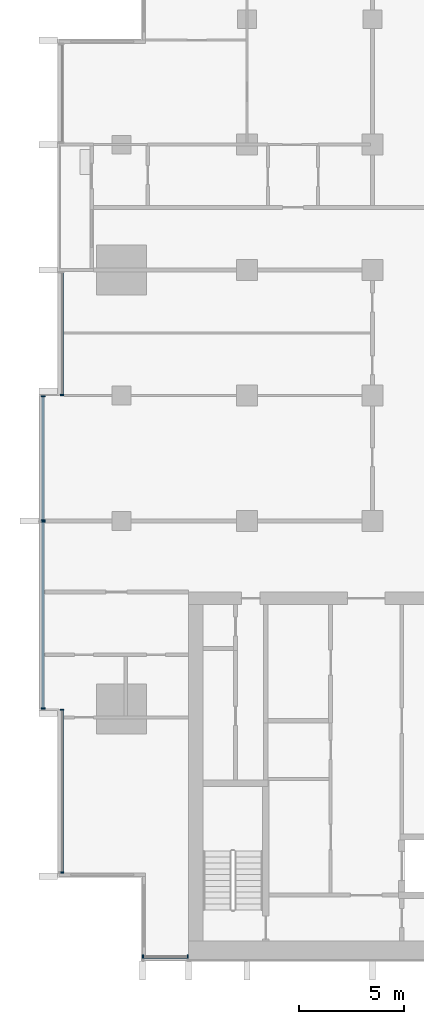
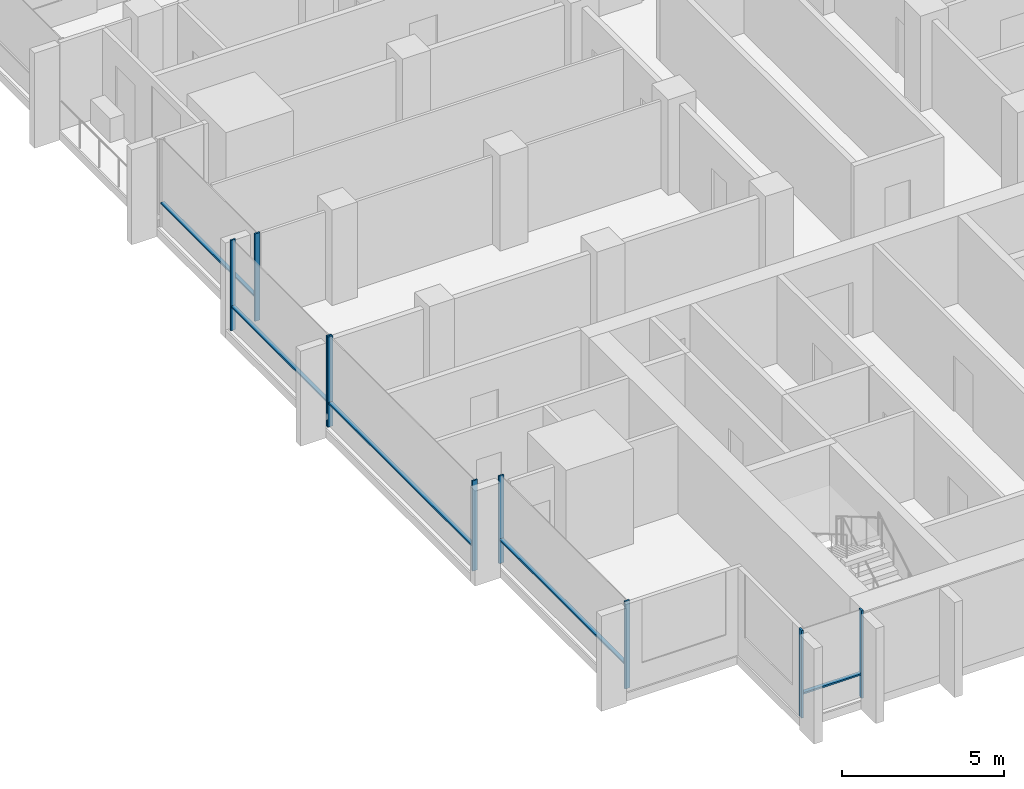
# One storey, part 2 of 16: 14 members, 5 elements without a shape of their own.
"""IFC4 building model written with IfcOpenShell, lengths in metres."""

from ifc_helpers import new_model, si_unit, direction, frame, origin, origin_2d, place, context, subcontext, project, spatial, rectangle, extrude, material, material_profile, profile_set, type_object, element, aggregate, save


model = new_model("IFC4")

# Units and contexts
model_context = context("Model", 3, precision=1e-05, world=origin(), true_north=direction((0.0, 1.0)))
body_context = subcontext(model_context, "Body", "Model", "MODEL_VIEW")
ifc_project = project(units=[si_unit("LENGTHUNIT", "METRE"), si_unit("AREAUNIT", "SQUARE_METRE"), si_unit("VOLUMEUNIT", "CUBIC_METRE"), si_unit("PLANEANGLEUNIT", "RADIAN"), si_unit("MASSUNIT", "GRAM", prefix="KILO")], contexts=[model_context])

# Site, building, storey
site_placement = place(None, origin())
site = spatial("IfcSite", under=ifc_project, at=site_placement, CompositionType="ELEMENT")
building_placement = place(site_placement, origin())
building = spatial("IfcBuilding", under=site, at=building_placement, Name="Finial Court Residences", CompositionType="ELEMENT")
storey_placement = place(building_placement, frame((0.0, 0.0, 185.300048828125)))
storey = spatial("IfcBuildingStorey", under=building, at=storey_placement, Name="L46", CompositionType="ELEMENT", Elevation=185.300048828125)

# Curtain wall, members
ifc_material = material(Name="Bronze anodised aluminium", Category="aluminium")
curtain_wall_type = type_object("IfcCurtainWallType", Name="Unitised curtain wall, upper zones", PredefinedType="NOTDEFINED", material=ifc_material)
curtain_wall_1_placement = place(storey_placement, origin())
curtain_wall_1 = element("IfcCurtainWall", 1, at=curtain_wall_1_placement, inside=storey, type_object=curtain_wall_type, Name="E-L46-CW-S7", PredefinedType="NOTDEFINED")
ifc_material_profile_1 = material_profile(ifc_material, rectangle(XDim=0.175048828125, YDim=0.06005859375, at=origin_2d()), Name="CW2 mullion 60 x 175")
ifc_profile_set_1 = profile_set([ifc_material_profile_1], Name="Bronze anodised aluminium")
member_type_1 = type_object("IfcMemberType", Name="CW2 mullion 60 x 175", PredefinedType="MULLION", material=ifc_profile_set_1)
member_1_placement = place(storey_placement, frame((-15.469970703125, -25.35009765625, 0.0), z_axis=(0.0, 0.0, 1.0), x_axis=(0.0, 1.0, 0.0)))
member_1 = element("IfcMember", 2, at=member_1_placement, type_object=member_type_1, Name="CW2 mullion 1", PredefinedType="MULLION", context=body_context, shape_type="SweptSolid", body=[
    extrude(rectangle(XDim=0.175048828125, YDim=0.06005859375, at=origin_2d()), origin(), (0.0, 0.0, 1.0), 3.300048828125),
])
member_2_placement = place(storey_placement, frame((-13.330078125, -25.35009765625, 0.0), z_axis=(0.0, 0.0, 1.0), x_axis=(0.0, 1.0, 0.0)))
member_2 = element("IfcMember", 3, at=member_2_placement, type_object=member_type_1, Name="CW2 mullion 2", PredefinedType="MULLION", context=body_context, shape_type="SweptSolid", body=[
    extrude(rectangle(XDim=0.175048828125, YDim=0.06005859375, at=origin_2d()), origin(), (0.0, 0.0, 1.0), 3.300048828125),
])

curtain_wall_2_placement = place(storey_placement, origin())
curtain_wall_2 = element("IfcCurtainWall", 4, at=curtain_wall_2_placement, inside=storey, type_object=curtain_wall_type, Name="E-L46-CW-W9", PredefinedType="NOTDEFINED")
member_3_placement = place(storey_placement, frame((-19.35009765625, -21.320068359375, 0.0), z_axis=(0.0, 0.0, 1.0), x_axis=(-1.0, 0.0, 0.0)))
member_3 = element("IfcMember", 5, at=member_3_placement, type_object=member_type_1, Name="CW2 mullion 1", PredefinedType="MULLION", context=body_context, shape_type="SweptSolid", body=[
    extrude(rectangle(XDim=0.175048828125, YDim=0.06005859375, at=origin_2d()), origin(), (0.0, 0.0, 1.0), 3.300048828125),
])
member_4_placement = place(storey_placement, frame((-19.35009765625, -13.530029296875, 0.0), z_axis=(0.0, 0.0, 1.0), x_axis=(-1.0, 0.0, 0.0)))
member_4 = element("IfcMember", 6, at=member_4_placement, type_object=member_type_1, Name="CW2 mullion 2", PredefinedType="MULLION", context=body_context, shape_type="SweptSolid", body=[
    extrude(rectangle(XDim=0.175048828125, YDim=0.06005859375, at=origin_2d()), origin(), (0.0, 0.0, 1.0), 3.300048828125),
])

curtain_wall_3_placement = place(storey_placement, origin())
curtain_wall_3 = element("IfcCurtainWall", 7, at=curtain_wall_3_placement, inside=storey, type_object=curtain_wall_type, Name="E-L46-CW-W10", PredefinedType="NOTDEFINED")
member_5_placement = place(storey_placement, frame((-20.25, -13.469970703125, 0.0), z_axis=(0.0, 0.0, 1.0), x_axis=(-1.0, 0.0, 0.0)))
member_5 = element("IfcMember", 8, at=member_5_placement, type_object=member_type_1, Name="CW2 mullion 1", PredefinedType="MULLION", context=body_context, shape_type="SweptSolid", body=[
    extrude(rectangle(XDim=0.175048828125, YDim=0.06005859375, at=origin_2d()), origin(), (0.0, 0.0, 1.0), 3.39990234375),
])
member_6_placement = place(storey_placement, frame((-20.25, -4.530029296875, 0.0), z_axis=(0.0, 0.0, 1.0), x_axis=(-1.0, 0.0, 0.0)))
member_6 = element("IfcMember", 9, at=member_6_placement, type_object=member_type_1, Name="CW2 mullion 2", PredefinedType="MULLION", context=body_context, shape_type="SweptSolid", body=[
    extrude(rectangle(XDim=0.175048828125, YDim=0.06005859375, at=origin_2d()), origin(), (0.0, 0.0, 1.0), 3.39990234375),
])

curtain_wall_4_placement = place(storey_placement, origin())
curtain_wall_4 = element("IfcCurtainWall", 10, at=curtain_wall_4_placement, inside=storey, type_object=curtain_wall_type, Name="E-L46-CW-W11", PredefinedType="NOTDEFINED")
member_7_placement = place(storey_placement, frame((-20.25, -4.469970703125, 0.0), z_axis=(0.0, 0.0, 1.0), x_axis=(-1.0, 0.0, 0.0)))
member_7 = element("IfcMember", 11, at=member_7_placement, type_object=member_type_1, Name="CW2 mullion 1", PredefinedType="MULLION", context=body_context, shape_type="SweptSolid", body=[
    extrude(rectangle(XDim=0.175048828125, YDim=0.06005859375, at=origin_2d()), origin(), (0.0, 0.0, 1.0), 3.39990234375),
])
member_8_placement = place(storey_placement, frame((-20.25, 1.469970703125, 0.0), z_axis=(0.0, 0.0, 1.0), x_axis=(-1.0, 0.0, 0.0)))
member_8 = element("IfcMember", 12, at=member_8_placement, type_object=member_type_1, Name="CW2 mullion 2", PredefinedType="MULLION", context=body_context, shape_type="SweptSolid", body=[
    extrude(rectangle(XDim=0.175048828125, YDim=0.06005859375, at=origin_2d()), origin(), (0.0, 0.0, 1.0), 3.39990234375),
])

# Curtain wall, member
curtain_wall_5_placement = place(storey_placement, origin())
curtain_wall_5 = element("IfcCurtainWall", 13, at=curtain_wall_5_placement, inside=storey, type_object=curtain_wall_type, Name="E-L46-CW-W12", PredefinedType="NOTDEFINED")
member_9_placement = place(storey_placement, frame((-19.35009765625, 1.530029296875, 0.0), z_axis=(0.0, 0.0, 1.0), x_axis=(-1.0, 0.0, 0.0)))
member_9 = element("IfcMember", 14, at=member_9_placement, type_object=member_type_1, Name="CW2 mullion 1", PredefinedType="MULLION", context=body_context, shape_type="SweptSolid", body=[
    extrude(rectangle(XDim=0.175048828125, YDim=0.06005859375, at=origin_2d()), origin(), (0.0, 0.0, 1.0), 3.300048828125),
])

# Member
ifc_material_profile_2 = material_profile(ifc_material, rectangle(XDim=0.139892578125, YDim=0.06005859375, at=origin_2d()), Name="CW2 transom 60 x 140")
ifc_profile_set_2 = profile_set([ifc_material_profile_2], Name="Bronze anodised aluminium")
member_type_2 = type_object("IfcMemberType", Name="CW2 transom 60 x 140", PredefinedType="USERDEFINED", material=ifc_profile_set_2)
member_10_placement = place(storey_placement, frame((-15.43994140625, -25.35009765625, 0.89990234375), z_axis=(1.0, 0.0, 0.0), x_axis=(0.0, 1.0, 0.0)))
member_10 = element("IfcMember", 15, at=member_10_placement, type_object=member_type_2, Name="CW2 transom 1.1", ObjectType="TRANSOM", PredefinedType="USERDEFINED", context=body_context, shape_type="SweptSolid", body=[
    extrude(rectangle(XDim=0.139892578125, YDim=0.06005859375, at=origin_2d()), origin(), (0.0, 0.0, 1.0), 2.079833984375),
])

aggregate(curtain_wall_1, [member_1, member_2, member_10])

member_11_placement = place(storey_placement, frame((-19.35009765625, -21.2900390625, 0.89990234375), z_axis=(0.0, 1.0, 0.0), x_axis=(-1.0, 0.0, 0.0)))
member_11 = element("IfcMember", 16, at=member_11_placement, type_object=member_type_2, Name="CW2 transom 1.1", ObjectType="TRANSOM", PredefinedType="USERDEFINED", context=body_context, shape_type="SweptSolid", body=[
    extrude(rectangle(XDim=0.139892578125, YDim=0.06005859375, at=origin_2d()), origin(), (0.0, 0.0, 1.0), 7.72998046875),
])

aggregate(curtain_wall_2, [member_3, member_4, member_11])

member_12_placement = place(storey_placement, frame((-20.25, -13.43994140625, 0.89990234375), z_axis=(0.0, 1.0, 0.0), x_axis=(-1.0, 0.0, 0.0)))
member_12 = element("IfcMember", 17, at=member_12_placement, type_object=member_type_2, Name="CW2 transom 1.1", ObjectType="TRANSOM", PredefinedType="USERDEFINED", context=body_context, shape_type="SweptSolid", body=[
    extrude(rectangle(XDim=0.139892578125, YDim=0.06005859375, at=origin_2d()), origin(), (0.0, 0.0, 1.0), 8.8798828125),
])

aggregate(curtain_wall_3, [member_5, member_6, member_12])

member_13_placement = place(storey_placement, frame((-20.25, -4.43994140625, 0.89990234375), z_axis=(0.0, 1.0, 0.0), x_axis=(-1.0, 0.0, 0.0)))
member_13 = element("IfcMember", 18, at=member_13_placement, type_object=member_type_2, Name="CW2 transom 1.1", ObjectType="TRANSOM", PredefinedType="USERDEFINED", context=body_context, shape_type="SweptSolid", body=[
    extrude(rectangle(XDim=0.139892578125, YDim=0.06005859375, at=origin_2d()), origin(), (0.0, 0.0, 1.0), 5.8798828125),
])

aggregate(curtain_wall_4, [member_7, member_8, member_13])

member_14_placement = place(storey_placement, frame((-19.35009765625, 1.56005859375, 0.89990234375), z_axis=(0.0, 1.0, 0.0), x_axis=(-1.0, 0.0, 0.0)))
member_14 = element("IfcMember", 19, at=member_14_placement, type_object=member_type_2, Name="CW2 transom 1.1", ObjectType="TRANSOM", PredefinedType="USERDEFINED", context=body_context, shape_type="SweptSolid", body=[
    extrude(rectangle(XDim=0.139892578125, YDim=0.06005859375, at=origin_2d()), origin(), (0.0, 0.0, 1.0), 5.804931640625),
])

aggregate(curtain_wall_5, [member_9, member_14])

save(model, "model.ifc")
